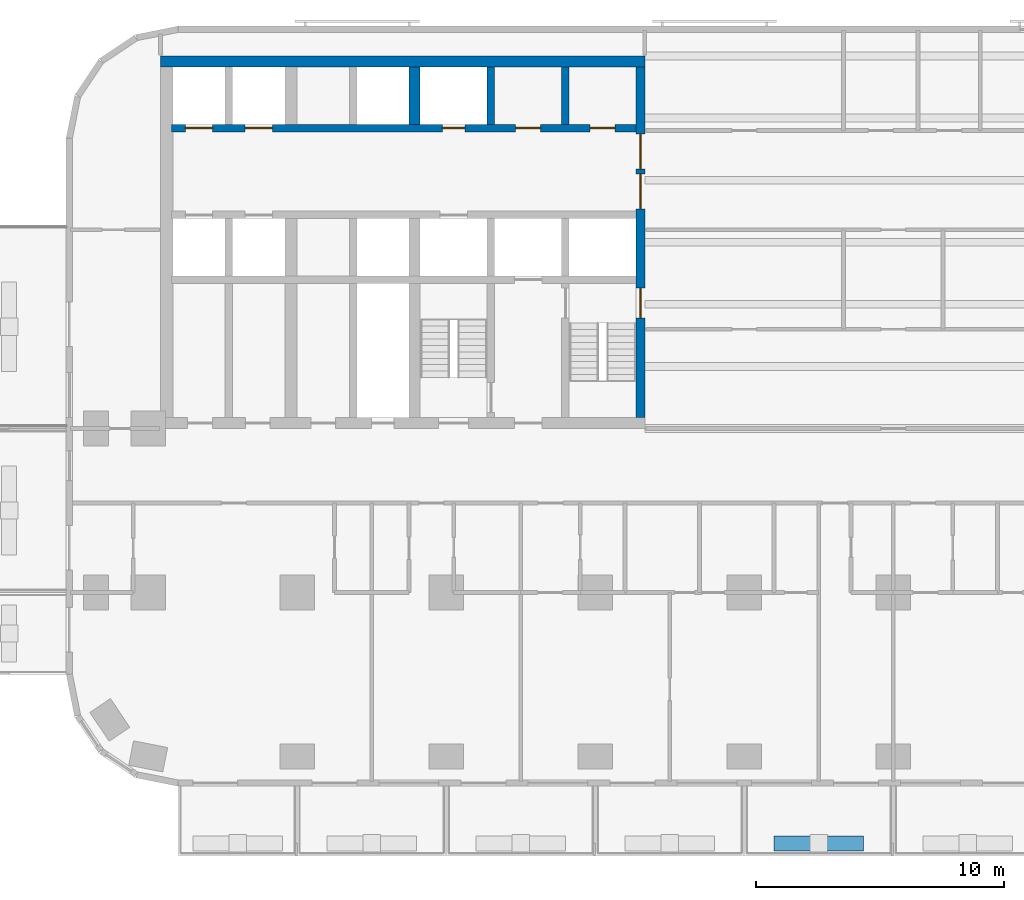
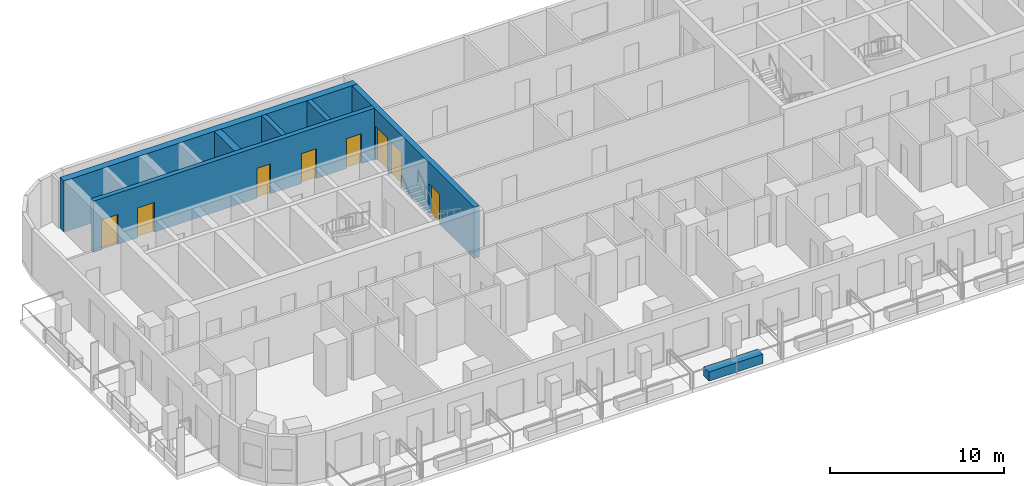
# One storey, part 4 of 14: 8 doors, 7 walls, 8 openings.
"""IFC4 building model written with IfcOpenShell, lengths in metres."""

from ifc_helpers import new_model, si_unit, direction, frame, frame_2d, origin, place, context, subcontext, project, spatial, rectangle, extrude, material, layer, layer_set, type_object, element, fill, save


model = new_model("IFC4")

# Units and contexts
model_context = context("Model", 3, precision=1e-05, world=origin(), true_north=direction((0.0, 1.0)))
body_context = subcontext(model_context, "Body", "Model", "MODEL_VIEW")
ifc_project = project(units=[si_unit("LENGTHUNIT", "METRE"), si_unit("AREAUNIT", "SQUARE_METRE"), si_unit("VOLUMEUNIT", "CUBIC_METRE"), si_unit("PLANEANGLEUNIT", "RADIAN"), si_unit("MASSUNIT", "GRAM", prefix="KILO")], contexts=[model_context])

# Site, building, storey
site_placement = place(None, origin())
site = spatial("IfcSite", under=ifc_project, at=site_placement, CompositionType="ELEMENT")
building_placement = place(site_placement, origin())
building = spatial("IfcBuilding", under=site, at=building_placement, Name="Torana Hotel and Residences", CompositionType="ELEMENT")
storey_placement = place(building_placement, frame((0.0, 0.0, 103.199951171875)))
storey = spatial("IfcBuildingStorey", under=building, at=storey_placement, Name="L26", CompositionType="ELEMENT", Elevation=103.199951171875)

# Wall, openings, doors
ifc_material_1 = material(Name="Concrete C80/95", Category="concrete")
ifc_layer_1 = layer(ifc_material_1, 0.300048828125)
ifc_layer_set_1 = layer_set([ifc_layer_1], Name="CORE WALL 300 C80/95")
wall_type_1 = type_object("IfcWallType", Name="CORE WALL 300 C80/95", PredefinedType="SHEAR", material=ifc_layer_set_1)
wall_1_placement = place(storey_placement, frame((-29.050048828125, -2.89990234375, 0.0), z_axis=(0.0, 0.0, 1.0), x_axis=(1.0, 0.0, 0.0)))
wall_1 = element("IfcWall", 1, at=wall_1_placement, inside=storey, type_object=wall_type_1, Name="Core wall W row-N", PredefinedType="SHEAR", context=body_context, shape_type="SweptSolid", body=[
    extrude(rectangle(XDim=18.699951171875, YDim=0.300048828125, at=frame_2d((9.35009765625, 0.0))), origin(), (0.0, 0.0, 1.0), 3.60009765625),
])
opening_1_placement = place(wall_1_placement, frame((2.949951171875, 0.0, 0.0)))
opening_1 = element("IfcOpeningElement", 2, at=opening_1_placement, cuts=wall_1, Name="Opening LD", PredefinedType="OPENING", context=body_context, shape_type="SweptSolid", body=[
    extrude(rectangle(XDim=1.10009765625, YDim=2.10009765625, at=frame_2d((0.550048828125, 1.050048828125))), frame((0.0, 0.159912109375, 0.0), z_axis=(0.0, -1.0, 0.0), x_axis=(1.0, 0.0, 0.0)), (0.0, 0.0, 1.0), 0.320068359375),
])
opening_2_placement = place(wall_1_placement, frame((0.550048828125, 0.0, 0.0)))
opening_2 = element("IfcOpeningElement", 3, at=opening_2_placement, cuts=wall_1, Name="Opening LD", PredefinedType="OPENING", context=body_context, shape_type="SweptSolid", body=[
    extrude(rectangle(XDim=1.10009765625, YDim=2.10009765625, at=frame_2d((0.550048828125, 1.050048828125))), frame((0.0, 0.159912109375, 0.0), z_axis=(0.0, -1.0, 0.0), x_axis=(1.0, 0.0, 0.0)), (0.0, 0.0, 1.0), 0.320068359375),
])
opening_3_placement = place(wall_1_placement, frame((10.89990234375, 0.0, 0.0)))
opening_3 = element("IfcOpeningElement", 4, at=opening_3_placement, cuts=wall_1, Name="Opening L26-10", PredefinedType="OPENING", context=body_context, shape_type="SweptSolid", body=[
    extrude(rectangle(XDim=0.89990234375, YDim=2.10009765625, at=frame_2d((0.449951171875, 1.050048828125))), frame((0.0, 0.159912109375, 0.0), z_axis=(0.0, -1.0, 0.0), x_axis=(1.0, 0.0, 0.0)), (0.0, 0.0, 1.0), 0.320068359375),
])
opening_4_placement = place(wall_1_placement, frame((16.85009765625, 0.0, 0.0)))
opening_4 = element("IfcOpeningElement", 5, at=opening_4_placement, cuts=wall_1, Name="Opening L26-11", PredefinedType="OPENING", context=body_context, shape_type="SweptSolid", body=[
    extrude(rectangle(XDim=1.0, YDim=2.10009765625, at=frame_2d((0.5, 1.050048828125))), frame((0.0, 0.159912109375, 0.0), z_axis=(0.0, -1.0, 0.0), x_axis=(1.0, 0.0, 0.0)), (0.0, 0.0, 1.0), 0.320068359375),
])
opening_5_placement = place(wall_1_placement, frame((13.85009765625, 0.0, 0.0)))
opening_5 = element("IfcOpeningElement", 6, at=opening_5_placement, cuts=wall_1, Name="Opening L26-12", PredefinedType="OPENING", context=body_context, shape_type="SweptSolid", body=[
    extrude(rectangle(XDim=1.0, YDim=2.10009765625, at=frame_2d((0.5, 1.050048828125))), frame((0.0, 0.159912109375, 0.0), z_axis=(0.0, -1.0, 0.0), x_axis=(1.0, 0.0, 0.0)), (0.0, 0.0, 1.0), 0.320068359375),
])
ifc_material_2 = material(Name="Steel S235", Category="steel")
door_type_1 = type_object("IfcDoorType", Name="CORE ROOM FIRE DOOR D14 1000x2100", OperationType="SINGLE_SWING_LEFT", PredefinedType="DOOR", material=ifc_material_2)
door_1_placement = place(opening_4_placement, origin())
door_1 = element("IfcDoor", 7, at=door_1_placement, inside=storey, type_object=door_type_1, Name="N0 door L26", OperationType="SINGLE_SWING_RIGHT", OverallHeight=2.10009765625, OverallWidth=1.0, PredefinedType="DOOR", context=body_context, shape_type="SweptSolid", body=[
    extrude(rectangle(XDim=1.0, YDim=2.10009765625, at=frame_2d((0.5, 1.050048828125))), frame((0.0, 0.02490234375, 0.0), z_axis=(0.0, -1.0, 0.0), x_axis=(1.0, 0.0, 0.0)), (0.0, 0.0, 1.0), 0.050048828125),
])
fill(opening_4, door_1)
door_2_placement = place(opening_5_placement, origin())
door_2 = element("IfcDoor", 8, at=door_2_placement, inside=storey, type_object=door_type_1, Name="N1 door L26", OperationType="SINGLE_SWING_RIGHT", OverallHeight=2.10009765625, OverallWidth=1.0, PredefinedType="DOOR", context=body_context, shape_type="SweptSolid", body=[
    extrude(rectangle(XDim=1.0, YDim=2.10009765625, at=frame_2d((0.5, 1.050048828125))), frame((0.0, 0.02490234375, 0.0), z_axis=(0.0, -1.0, 0.0), x_axis=(1.0, 0.0, 0.0)), (0.0, 0.0, 1.0), 0.050048828125),
])
fill(opening_5, door_2)
ifc_material_3 = material(Name="Stainless steel 316", Category="steel")
door_type_2 = type_object("IfcDoorType", Name="LIFT LANDING DOOR LD 1100x2100", OperationType="DOUBLE_DOOR_SLIDING", PredefinedType="USERDEFINED", material=ifc_material_3)
door_3_placement = place(opening_1_placement, origin())
door_3 = element("IfcDoor", 9, at=door_3_placement, inside=storey, type_object=door_type_2, Name="Lift landing door L1 L26", ObjectType="LIFT LANDING DOOR", OperationType="DOUBLE_DOOR_SLIDING", OverallHeight=2.10009765625, OverallWidth=1.10009765625, PredefinedType="USERDEFINED", context=body_context, shape_type="SweptSolid", body=[
    extrude(rectangle(XDim=1.10009765625, YDim=2.10009765625, at=frame_2d((0.550048828125, 1.050048828125))), frame((0.0, 0.02490234375, 0.0), z_axis=(0.0, -1.0, 0.0), x_axis=(1.0, 0.0, 0.0)), (0.0, 0.0, 1.0), 0.050048828125),
])
fill(opening_1, door_3)
door_4_placement = place(opening_2_placement, origin())
door_4 = element("IfcDoor", 10, at=door_4_placement, inside=storey, type_object=door_type_2, Name="Lift landing door L2 L26", ObjectType="LIFT LANDING DOOR", OperationType="DOUBLE_DOOR_SLIDING", OverallHeight=2.10009765625, OverallWidth=1.10009765625, PredefinedType="USERDEFINED", context=body_context, shape_type="SweptSolid", body=[
    extrude(rectangle(XDim=1.10009765625, YDim=2.10009765625, at=frame_2d((0.550048828125, 1.050048828125))), frame((0.0, 0.02490234375, 0.0), z_axis=(0.0, -1.0, 0.0), x_axis=(1.0, 0.0, 0.0)), (0.0, 0.0, 1.0), 0.050048828125),
])
fill(opening_2, door_4)
ifc_material_4 = material(Name="Steel S235", Category="steel")
door_type_3 = type_object("IfcDoorType", Name="RISER ACCESS DOOR D5 900x2100", OperationType="SINGLE_SWING_LEFT", PredefinedType="DOOR", material=ifc_material_4)
door_5_placement = place(opening_3_placement, origin())
door_5 = element("IfcDoor", 11, at=door_5_placement, inside=storey, type_object=door_type_3, Name="N2 door L26", OperationType="SINGLE_SWING_RIGHT", OverallHeight=2.10009765625, OverallWidth=0.89990234375, PredefinedType="DOOR", context=body_context, shape_type="SweptSolid", body=[
    extrude(rectangle(XDim=0.89990234375, YDim=2.10009765625, at=frame_2d((0.449951171875, 1.050048828125))), frame((0.0, 0.02490234375, 0.0), z_axis=(0.0, -1.0, 0.0), x_axis=(1.0, 0.0, 0.0)), (0.0, 0.0, 1.0), 0.050048828125),
])
fill(opening_3, door_5)

# Walls
for number, where, z_axis, x_axis, name in (
    (12, (-13.199951171875, -2.75, 0.0), (0.0, 0.0, 1.0), (0.0, 1.0, 0.0), "Core wall W x3.05-N"),
    (13, (-16.199951171875, -2.75, 0.0), (0.0, 0.0, 1.0), (0.0, 1.0, 0.0), "Core wall W x6.05-N"),
):
    element("IfcWall", number, at=place(storey_placement, frame(where, z_axis=z_axis, x_axis=x_axis)), inside=storey, type_object=wall_type_1, Name=name, PredefinedType="SHEAR", context=body_context, shape_type="SweptSolid", body=[
        extrude(rectangle(XDim=2.300048828125, YDim=0.300048828125, at=frame_2d((1.14990234375, 0.0))), origin(), (0.0, 0.0, 1.0), 3.60009765625),
    ])

# Wall, openings, doors
ifc_material_5 = material(Name="Concrete C80/95", Category="concrete")
ifc_layer_2 = layer(ifc_material_5, 0.35009765625)
ifc_layer_set_2 = layer_set([ifc_layer_2], Name="CORE WALL 350 C80/95")
wall_type_2 = type_object("IfcWallType", Name="CORE WALL 350 C80/95", PredefinedType="SHEAR", material=ifc_layer_set_2)
wall_2_placement = place(storey_placement, frame((-10.175048828125, -14.550048828125, 0.0), z_axis=(0.0, 0.0, 1.0), x_axis=(0.0, 1.0, 0.0)))
wall_2 = element("IfcWall", 14, at=wall_2_placement, inside=storey, type_object=wall_type_2, Name="Core wall W arch", PredefinedType="SHEAR", context=body_context, shape_type="SweptSolid", body=[
    extrude(rectangle(XDim=14.10009765625, YDim=0.35009765625, at=frame_2d((7.050048828125, 0.0))), origin(), (0.0, 0.0, 1.0), 3.60009765625),
])
opening_6_placement = place(wall_2_placement, frame((8.39990234375, 0.0, 0.0)))
opening_6 = element("IfcOpeningElement", 15, at=opening_6_placement, cuts=wall_2, Name="Opening L26-01", PredefinedType="OPENING", context=body_context, shape_type="SweptSolid", body=[
    extrude(rectangle(XDim=1.39990234375, YDim=2.39990234375, at=frame_2d((0.699951171875, 1.199951171875))), frame((0.0, 0.18505859375, 0.0), z_axis=(0.0, -1.0, 0.0), x_axis=(1.0, 0.0, 0.0)), (0.0, 0.0, 1.0), 0.3701171875),
])
opening_7_placement = place(wall_2_placement, frame((10.0, 0.0, 0.0)))
opening_7 = element("IfcOpeningElement", 16, at=opening_7_placement, cuts=wall_2, Name="Opening L26-02", PredefinedType="OPENING", context=body_context, shape_type="SweptSolid", body=[
    extrude(rectangle(XDim=1.39990234375, YDim=2.39990234375, at=frame_2d((0.699951171875, 1.199951171875))), frame((0.0, 0.18505859375, 0.0), z_axis=(0.0, -1.0, 0.0), x_axis=(1.0, 0.0, 0.0)), (0.0, 0.0, 1.0), 0.3701171875),
])
opening_8_placement = place(wall_2_placement, frame((4.0, 0.0, 0.0)))
opening_8 = element("IfcOpeningElement", 17, at=opening_8_placement, cuts=wall_2, Name="Opening L26-03", PredefinedType="OPENING", context=body_context, shape_type="SweptSolid", body=[
    extrude(rectangle(XDim=1.199951171875, YDim=2.10009765625, at=frame_2d((0.60009765625, 1.050048828125))), frame((0.0, 0.18505859375, 0.0), z_axis=(0.0, -1.0, 0.0), x_axis=(1.0, 0.0, 0.0)), (0.0, 0.0, 1.0), 0.3701171875),
])
ifc_material_6 = material(Name="Steel S235", Category="steel")
door_type_4 = type_object("IfcDoorType", Name="LOBBY FIRE DOOR D4 1400x2400", OperationType="DOUBLE_DOOR_SINGLE_SWING", PredefinedType="DOOR", material=ifc_material_6)
door_6_placement = place(opening_6_placement, origin())
door_6 = element("IfcDoor", 18, at=door_6_placement, inside=storey, type_object=door_type_4, Name="Lobby-1 door L26", OperationType="DOUBLE_DOOR_SINGLE_SWING", OverallHeight=2.39990234375, OverallWidth=1.39990234375, PredefinedType="DOOR", context=body_context, shape_type="SweptSolid", body=[
    extrude(rectangle(XDim=1.39990234375, YDim=2.39990234375, at=frame_2d((0.699951171875, 1.199951171875))), frame((0.0, 0.02490234375, 0.0), z_axis=(0.0, -1.0, 0.0), x_axis=(1.0, 0.0, 0.0)), (0.0, 0.0, 1.0), 0.050048828125),
])
fill(opening_6, door_6)
door_7_placement = place(opening_7_placement, origin())
door_7 = element("IfcDoor", 19, at=door_7_placement, inside=storey, type_object=door_type_4, Name="Lobby-2 door L26", OperationType="DOUBLE_DOOR_SINGLE_SWING", OverallHeight=2.39990234375, OverallWidth=1.39990234375, PredefinedType="DOOR", context=body_context, shape_type="SweptSolid", body=[
    extrude(rectangle(XDim=1.39990234375, YDim=2.39990234375, at=frame_2d((0.699951171875, 1.199951171875))), frame((0.0, 0.02490234375, 0.0), z_axis=(0.0, -1.0, 0.0), x_axis=(1.0, 0.0, 0.0)), (0.0, 0.0, 1.0), 0.050048828125),
])
fill(opening_7, door_7)
ifc_material_7 = material(Name="Steel S235", Category="steel")
door_type_5 = type_object("IfcDoorType", Name="STAIR FIRE DOOR D3 1200x2100", OperationType="SINGLE_SWING_LEFT", PredefinedType="DOOR", material=ifc_material_7)
door_8_placement = place(opening_8_placement, origin())
door_8 = element("IfcDoor", 20, at=door_8_placement, inside=storey, type_object=door_type_5, Name="Stair-A door L26", OperationType="SINGLE_SWING_LEFT", OverallHeight=2.10009765625, OverallWidth=1.199951171875, PredefinedType="DOOR", context=body_context, shape_type="SweptSolid", body=[
    extrude(rectangle(XDim=1.199951171875, YDim=2.10009765625, at=frame_2d((0.60009765625, 1.050048828125))), frame((0.0, 0.02490234375, 0.0), z_axis=(0.0, -1.0, 0.0), x_axis=(1.0, 0.0, 0.0)), (0.0, 0.0, 1.0), 0.050048828125),
])
fill(opening_8, door_8)

# Walls
ifc_material_8 = material(Name="Concrete C80/95", Category="concrete")
ifc_layer_3 = layer(ifc_material_8, 0.449951171875)
ifc_layer_set_3 = layer_set([ifc_layer_3], Name="CORE WALL 450 C80/95")
wall_type_3 = type_object("IfcWallType", Name="CORE WALL 450 C80/95", PredefinedType="SHEAR", material=ifc_layer_set_3)
wall_3_placement = place(storey_placement, frame((-29.5, -0.22509765625, 0.0), z_axis=(0.0, 0.0, 1.0), x_axis=(1.0, 0.0, 0.0)))
element("IfcWall", 21, at=wall_3_placement, inside=storey, type_object=wall_type_3, Name="Core wall W rear", PredefinedType="SHEAR", context=body_context, shape_type="SweptSolid", body=[
    extrude(rectangle(XDim=19.5, YDim=0.449951171875, at=frame_2d((9.75, 0.0))), origin(), (0.0, 0.0, 1.0), 3.60009765625),
])
wall_4_placement = place(storey_placement, frame((-19.27490234375, -2.75, 0.0), z_axis=(0.0, 0.0, 1.0), x_axis=(0.0, 1.0, 0.0)))
element("IfcWall", 22, at=wall_4_placement, inside=storey, type_object=wall_type_3, Name="Core wall W hm-N", PredefinedType="SHEAR", context=body_context, shape_type="SweptSolid", body=[
    extrude(rectangle(XDim=2.300048828125, YDim=0.449951171875, at=frame_2d((1.14990234375, 0.0))), origin(), (0.0, 0.0, 1.0), 3.60009765625),
])
ifc_material_9 = material(Name="Concrete C40/50 precast", Category="concrete")
ifc_layer_4 = layer(ifc_material_9, 0.10009765625, Name="Planter shell", Category="structure")
ifc_material_10 = material(Name="Root resistant membrane")
ifc_layer_5 = layer(ifc_material_10, 0.00390625, Name="Waterproofing membrane", Category="membrane")
ifc_material_11 = material(Name="Drainage board with filter fleece")
ifc_layer_6 = layer(ifc_material_11, 0.02001953125, Name="Drainage board", Category="drainage")
ifc_material_12 = material(Name="Growing medium")
ifc_layer_7 = layer(ifc_material_12, 0.47607421875, Name="Planting substrate", Category="soil")
ifc_layer_set_4 = layer_set([ifc_layer_4, ifc_layer_5, ifc_layer_6, ifc_layer_7], Name="PL1 BALCONY PLANTER 600")
wall_type_4 = type_object("IfcWallType", Name="PL1 BALCONY PLANTER 600", PredefinedType="USERDEFINED", material=ifc_layer_set_4)
wall_5_placement = place(storey_placement, frame((-1.199951171875, -31.699951171875, 0.0), z_axis=(0.0, 0.0, 1.0), x_axis=(-1.0, 0.0, 0.0)))
element("IfcWall", 23, at=wall_5_placement, inside=storey, type_object=wall_type_4, Name="Planter 05", ObjectType="PLANTER", PredefinedType="USERDEFINED", context=body_context, shape_type="SweptSolid", body=[
    extrude(rectangle(XDim=3.60009765625, YDim=0.60009765625, at=frame_2d((1.800048828125, 0.0))), origin(), (0.0, 0.0, 1.0), 0.650146484375),
])

save(model, "model.ifc")
